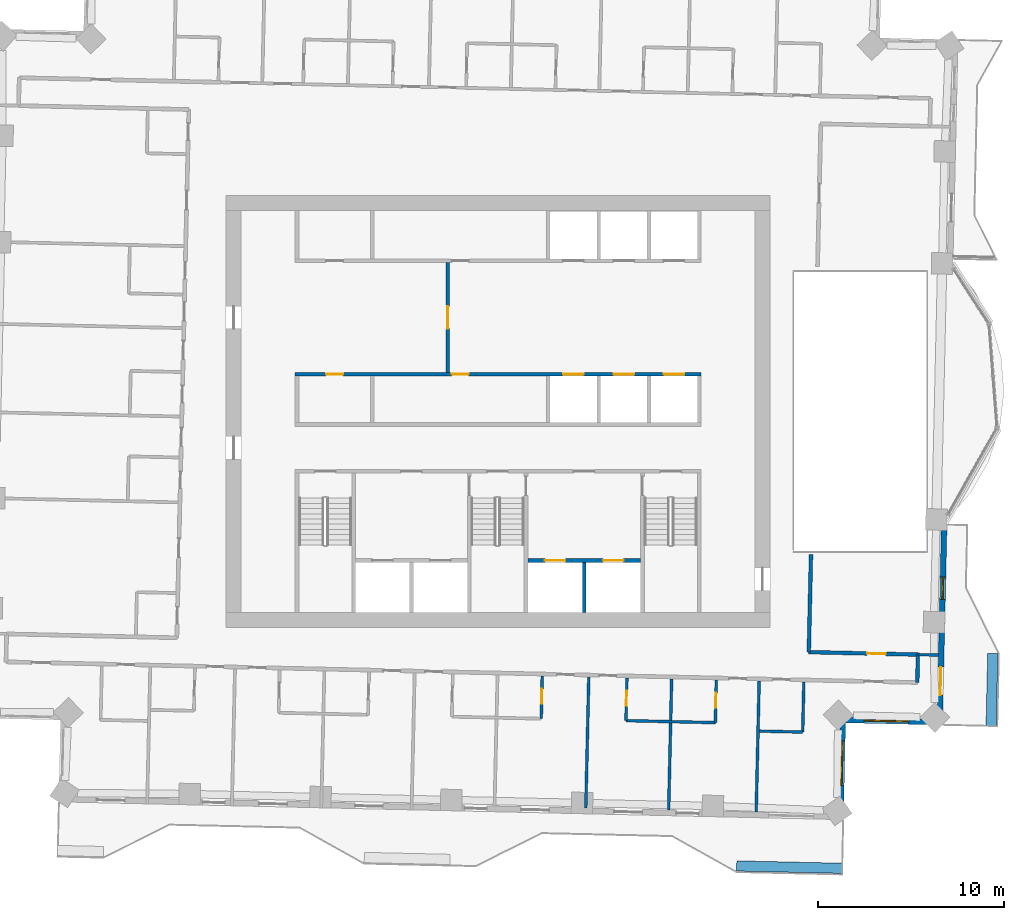
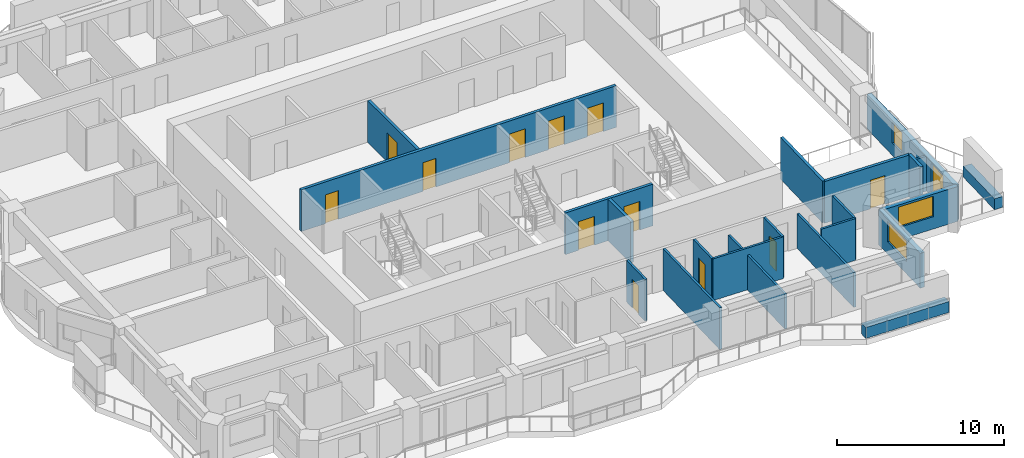
# One storey, part 9 of 16: 22 walls, 13 doors, 3 windows, 16 openings.
"""IFC4 building model written with IfcOpenShell, lengths in metres."""

from ifc_helpers import new_model, si_unit, direction, frame, frame_2d, origin, place, context, subcontext, project, spatial, rectangle, extrude, material, layer, layer_set, type_object, element, fill, save


model = new_model("IFC4")

# Units and contexts
model_context = context("Model", 3, precision=1e-05, world=origin(), true_north=direction((0.0, 1.0)))
body_context = subcontext(model_context, "Body", "Model", "MODEL_VIEW")
ifc_project = project(units=[si_unit("LENGTHUNIT", "METRE"), si_unit("AREAUNIT", "SQUARE_METRE"), si_unit("VOLUMEUNIT", "CUBIC_METRE"), si_unit("PLANEANGLEUNIT", "RADIAN"), si_unit("MASSUNIT", "GRAM", prefix="KILO")], contexts=[model_context])

# Site, building, storey
site_placement = place(None, origin())
site = spatial("IfcSite", under=ifc_project, at=site_placement, CompositionType="ELEMENT")
building_placement = place(site_placement, origin())
building = spatial("IfcBuilding", under=site, at=building_placement, Name="Mangrove Gate Tower", CompositionType="ELEMENT")
storey_placement = place(building_placement, frame((0.0, 0.0, 201.5)))
storey = spatial("IfcBuildingStorey", under=building, at=storey_placement, Name="L51", CompositionType="ELEMENT", Elevation=201.5)

# Wall, opening, door
ifc_material_1 = material(Name="Concrete C32/40", Category="concrete")
ifc_layer_1 = layer(ifc_material_1, 0.199951171875)
ifc_layer_set_1 = layer_set([ifc_layer_1], Name="Core lobby wall 200 C32/40")
wall_type_1 = type_object("IfcWallType", Name="Core lobby wall 200 C32/40", PredefinedType="STANDARD", material=ifc_layer_set_1)
wall_1_placement = place(storey_placement, frame((-2.699951171875, 2.10009765625, 0.0), z_axis=(0.0, 0.0, 1.0), x_axis=(0.0, 1.0, 0.0)))
wall_1 = element("IfcWall", 1, at=wall_1_placement, inside=storey, type_object=wall_type_1, Name="WALL-L51-CORE-31", PredefinedType="STANDARD", context=body_context, shape_type="SweptSolid", body=[
    extrude(rectangle(XDim=5.89990234375, YDim=0.199951171875, at=frame_2d((2.949951171875, 0.0))), origin(), (0.0, 0.0, 1.0), 3.050048828125),
])
opening_1_placement = place(wall_1_placement, frame((2.35009765625, 0.0, 0.0)))
opening_1 = element("IfcOpeningElement", 2, at=opening_1_placement, cuts=wall_1, Name="Opening FL12", PredefinedType="OPENING", context=body_context, shape_type="SweptSolid", body=[
    extrude(rectangle(XDim=1.199951171875, YDim=2.10009765625, at=frame_2d((0.60009765625, 1.050048828125))), frame((0.0, 0.10986328125, 0.0), z_axis=(0.0, -1.0, 0.0), x_axis=(1.0, 0.0, 0.0)), (0.0, 0.0, 1.0), 0.219970703125),
])
ifc_material_2 = material(Name="Fire-rated steel door set", Category="steel")
door_type_1 = type_object("IfcDoorType", Name="Lobby door FD60 1200x2100", OperationType="SINGLE_SWING_LEFT", PredefinedType="DOOR", material=ifc_material_2)
door_1_placement = place(opening_1_placement, origin())
door_1 = element("IfcDoor", 3, at=door_1_placement, inside=storey, type_object=door_type_1, Name="Lobby door lift lobby partition", OperationType="SINGLE_SWING_LEFT", OverallHeight=2.10009765625, OverallWidth=1.199951171875, PredefinedType="DOOR", context=body_context, shape_type="SweptSolid", body=[
    extrude(rectangle(XDim=1.199951171875, YDim=2.10009765625, at=frame_2d((0.60009765625, 1.050048828125))), frame((0.0, 0.02490234375, 0.0), z_axis=(0.0, -1.0, 0.0), x_axis=(1.0, 0.0, 0.0)), (0.0, 0.0, 1.0), 0.050048828125),
])
fill(opening_1, door_1)

# Wall, openings, doors
ifc_material_3 = material(Name="Concrete C60/75", Category="concrete")
ifc_layer_2 = layer(ifc_material_3, 0.199951171875)
ifc_layer_set_2 = layer_set([ifc_layer_2], Name="Core shaft wall 200 C60/75")
wall_type_2 = type_object("IfcWallType", Name="Core shaft wall 200 C60/75", PredefinedType="SHEAR", material=ifc_layer_set_2)
wall_2_placement = place(storey_placement, frame((-10.89990234375, 2.0, 0.0), z_axis=(0.0, 0.0, 1.0), x_axis=(1.0, 0.0, 0.0)))
wall_2 = element("IfcWall", 4, at=wall_2_placement, inside=storey, type_object=wall_type_2, Name="WALL-L51-CORE-7", PredefinedType="SHEAR", context=body_context, shape_type="SweptSolid", body=[
    extrude(rectangle(XDim=21.7998046875, YDim=0.199951171875, at=frame_2d((10.89990234375, 0.0))), origin(), (0.0, 0.0, 1.0), 3.050048828125),
])
opening_2_placement = place(wall_2_placement, frame((14.39990234375, 0.0, 0.0)))
opening_2 = element("IfcOpeningElement", 5, at=opening_2_placement, cuts=wall_2, Name="Opening LD", PredefinedType="OPENING", context=body_context, shape_type="SweptSolid", body=[
    extrude(rectangle(XDim=1.10009765625, YDim=2.10009765625, at=frame_2d((0.550048828125, 1.050048828125))), frame((0.0, 0.10986328125, 0.0), z_axis=(0.0, -1.0, 0.0), x_axis=(1.0, 0.0, 0.0)), (0.0, 0.0, 1.0), 0.219970703125),
])
opening_3_placement = place(wall_2_placement, frame((17.10009765625, 0.0, 0.0)))
opening_3 = element("IfcOpeningElement", 6, at=opening_3_placement, cuts=wall_2, Name="Opening LD", PredefinedType="OPENING", context=body_context, shape_type="SweptSolid", body=[
    extrude(rectangle(XDim=1.10009765625, YDim=2.10009765625, at=frame_2d((0.550048828125, 1.050048828125))), frame((0.0, 0.10986328125, 0.0), z_axis=(0.0, -1.0, 0.0), x_axis=(1.0, 0.0, 0.0)), (0.0, 0.0, 1.0), 0.219970703125),
])
opening_4_placement = place(wall_2_placement, frame((19.800048828125, 0.0, 0.0)))
opening_4 = element("IfcOpeningElement", 7, at=opening_4_placement, cuts=wall_2, Name="Opening LD", PredefinedType="OPENING", context=body_context, shape_type="SweptSolid", body=[
    extrude(rectangle(XDim=1.10009765625, YDim=2.10009765625, at=frame_2d((0.550048828125, 1.050048828125))), frame((0.0, 0.10986328125, 0.0), z_axis=(0.0, -1.0, 0.0), x_axis=(1.0, 0.0, 0.0)), (0.0, 0.0, 1.0), 0.219970703125),
])
opening_5_placement = place(wall_2_placement, frame((1.675048828125, 0.0, 0.0)))
opening_5 = element("IfcOpeningElement", 8, at=opening_5_placement, cuts=wall_2, Name="Opening KD", PredefinedType="OPENING", context=body_context, shape_type="SweptSolid", body=[
    extrude(rectangle(XDim=0.89990234375, YDim=2.10009765625, at=frame_2d((0.449951171875, 1.050048828125))), frame((0.0, 0.10986328125, 0.0), z_axis=(0.0, -1.0, 0.0), x_axis=(1.0, 0.0, 0.0)), (0.0, 0.0, 1.0), 0.219970703125),
])
opening_6_placement = place(wall_2_placement, frame((8.425048828125, 0.0, 0.0)))
opening_6 = element("IfcOpeningElement", 9, at=opening_6_placement, cuts=wall_2, Name="Opening RD", PredefinedType="OPENING", context=body_context, shape_type="SweptSolid", body=[
    extrude(rectangle(XDim=0.89990234375, YDim=2.10009765625, at=frame_2d((0.449951171875, 1.050048828125))), frame((0.0, 0.10986328125, 0.0), z_axis=(0.0, -1.0, 0.0), x_axis=(1.0, 0.0, 0.0)), (0.0, 0.0, 1.0), 0.219970703125),
])
ifc_material_4 = material(Name="Fire-rated steel door set", Category="steel")
door_type_2 = type_object("IfcDoorType", Name="Core room door FD30S 900x2100", OperationType="SINGLE_SWING_RIGHT", PredefinedType="DOOR", material=ifc_material_4)
door_2_placement = place(opening_5_placement, origin())
door_2 = element("IfcDoor", 10, at=door_2_placement, inside=storey, type_object=door_type_2, Name="Core room door Refuse store", OperationType="SINGLE_SWING_RIGHT", OverallHeight=2.10009765625, OverallWidth=0.89990234375, PredefinedType="DOOR", context=body_context, shape_type="SweptSolid", body=[
    extrude(rectangle(XDim=0.89990234375, YDim=2.10009765625, at=frame_2d((0.449951171875, 1.050048828125))), frame((0.0, 0.02490234375, 0.0), z_axis=(0.0, -1.0, 0.0), x_axis=(1.0, 0.0, 0.0)), (0.0, 0.0, 1.0), 0.050048828125),
])
fill(opening_5, door_2)
ifc_material_5 = material(Name="Stainless steel 316", Category="steel")
door_type_3 = type_object("IfcDoorType", Name="Lift landing door 1100x2100", OperationType="SLIDING_TO_LEFT", PredefinedType="DOOR", material=ifc_material_5)
door_3_placement = place(opening_2_placement, origin())
door_3 = element("IfcDoor", 11, at=door_3_placement, inside=storey, type_object=door_type_3, Name="Landing door LD M01", OperationType="SLIDING_TO_LEFT", OverallHeight=2.10009765625, OverallWidth=1.10009765625, PredefinedType="DOOR", context=body_context, shape_type="SweptSolid", body=[
    extrude(rectangle(XDim=1.10009765625, YDim=2.10009765625, at=frame_2d((0.550048828125, 1.050048828125))), frame((0.0, 0.02490234375, 0.0), z_axis=(0.0, -1.0, 0.0), x_axis=(1.0, 0.0, 0.0)), (0.0, 0.0, 1.0), 0.050048828125),
])
fill(opening_2, door_3)
door_4_placement = place(opening_3_placement, origin())
door_4 = element("IfcDoor", 12, at=door_4_placement, inside=storey, type_object=door_type_3, Name="Landing door LD M02", OperationType="SLIDING_TO_LEFT", OverallHeight=2.10009765625, OverallWidth=1.10009765625, PredefinedType="DOOR", context=body_context, shape_type="SweptSolid", body=[
    extrude(rectangle(XDim=1.10009765625, YDim=2.10009765625, at=frame_2d((0.550048828125, 1.050048828125))), frame((0.0, 0.02490234375, 0.0), z_axis=(0.0, -1.0, 0.0), x_axis=(1.0, 0.0, 0.0)), (0.0, 0.0, 1.0), 0.050048828125),
])
fill(opening_3, door_4)
door_5_placement = place(opening_4_placement, origin())
door_5 = element("IfcDoor", 13, at=door_5_placement, inside=storey, type_object=door_type_3, Name="Landing door LD M03", OperationType="SLIDING_TO_LEFT", OverallHeight=2.10009765625, OverallWidth=1.10009765625, PredefinedType="DOOR", context=body_context, shape_type="SweptSolid", body=[
    extrude(rectangle(XDim=1.10009765625, YDim=2.10009765625, at=frame_2d((0.550048828125, 1.050048828125))), frame((0.0, 0.02490234375, 0.0), z_axis=(0.0, -1.0, 0.0), x_axis=(1.0, 0.0, 0.0)), (0.0, 0.0, 1.0), 0.050048828125),
])
fill(opening_4, door_5)
ifc_material_6 = material(Name="Fire-rated steel door set", Category="steel")
door_type_4 = type_object("IfcDoorType", Name="Riser door FD30S 900x2100", OperationType="SINGLE_SWING_LEFT", PredefinedType="DOOR", material=ifc_material_6)
door_6_placement = place(opening_6_placement, origin())
door_6 = element("IfcDoor", 14, at=door_6_placement, inside=storey, type_object=door_type_4, Name="Riser door Electrical room", OperationType="SINGLE_SWING_LEFT", OverallHeight=2.10009765625, OverallWidth=0.89990234375, PredefinedType="DOOR", context=body_context, shape_type="SweptSolid", body=[
    extrude(rectangle(XDim=0.89990234375, YDim=2.10009765625, at=frame_2d((0.449951171875, 1.050048828125))), frame((0.0, 0.02490234375, 0.0), z_axis=(0.0, -1.0, 0.0), x_axis=(1.0, 0.0, 0.0)), (0.0, 0.0, 1.0), 0.050048828125),
])
fill(opening_6, door_6)

wall_3_placement = place(storey_placement, frame((1.60009765625, -8.0, 0.0), z_axis=(0.0, 0.0, 1.0), x_axis=(1.0, 0.0, 0.0)))
wall_3 = element("IfcWall", 15, at=wall_3_placement, inside=storey, type_object=wall_type_2, Name="WALL-L51-CORE-17", PredefinedType="SHEAR", context=body_context, shape_type="SweptSolid", body=[
    extrude(rectangle(XDim=6.0498046875, YDim=0.199951171875, at=frame_2d((3.02490234375, 0.0))), origin(), (0.0, 0.0, 1.0), 3.050048828125),
])
opening_7_placement = place(wall_3_placement, frame((0.91259765625, 0.0, 0.0)))
opening_7 = element("IfcOpeningElement", 16, at=opening_7_placement, cuts=wall_3, Name="Opening LD", PredefinedType="OPENING", context=body_context, shape_type="SweptSolid", body=[
    extrude(rectangle(XDim=1.10009765625, YDim=2.10009765625, at=frame_2d((0.550048828125, 1.050048828125))), frame((0.0, 0.10986328125, 0.0), z_axis=(0.0, -1.0, 0.0), x_axis=(1.0, 0.0, 0.0)), (0.0, 0.0, 1.0), 0.219970703125),
])
opening_8_placement = place(wall_3_placement, frame((4.03759765625, 0.0, 0.0)))
opening_8 = element("IfcOpeningElement", 17, at=opening_8_placement, cuts=wall_3, Name="Opening LD", PredefinedType="OPENING", context=body_context, shape_type="SweptSolid", body=[
    extrude(rectangle(XDim=1.10009765625, YDim=2.10009765625, at=frame_2d((0.550048828125, 1.050048828125))), frame((0.0, 0.10986328125, 0.0), z_axis=(0.0, -1.0, 0.0), x_axis=(1.0, 0.0, 0.0)), (0.0, 0.0, 1.0), 0.219970703125),
])
door_7_placement = place(opening_7_placement, origin())
door_7 = element("IfcDoor", 18, at=door_7_placement, inside=storey, type_object=door_type_3, Name="Landing door LD FFL1", OperationType="SLIDING_TO_LEFT", OverallHeight=2.10009765625, OverallWidth=1.10009765625, PredefinedType="DOOR", context=body_context, shape_type="SweptSolid", body=[
    extrude(rectangle(XDim=1.10009765625, YDim=2.10009765625, at=frame_2d((0.550048828125, 1.050048828125))), frame((0.0, 0.02490234375, 0.0), z_axis=(0.0, -1.0, 0.0), x_axis=(1.0, 0.0, 0.0)), (0.0, 0.0, 1.0), 0.050048828125),
])
fill(opening_7, door_7)
door_8_placement = place(opening_8_placement, origin())
door_8 = element("IfcDoor", 19, at=door_8_placement, inside=storey, type_object=door_type_3, Name="Landing door LD FFL2", OperationType="SLIDING_TO_LEFT", OverallHeight=2.10009765625, OverallWidth=1.10009765625, PredefinedType="DOOR", context=body_context, shape_type="SweptSolid", body=[
    extrude(rectangle(XDim=1.10009765625, YDim=2.10009765625, at=frame_2d((0.550048828125, 1.050048828125))), frame((0.0, 0.02490234375, 0.0), z_axis=(0.0, -1.0, 0.0), x_axis=(1.0, 0.0, 0.0)), (0.0, 0.0, 1.0), 0.050048828125),
])
fill(opening_8, door_8)

# Walls
wall_4_placement = place(storey_placement, frame((4.625, -10.800048828125, 0.0), z_axis=(0.0, 0.0, 1.0), x_axis=(0.0, 1.0, 0.0)))
element("IfcWall", 20, at=wall_4_placement, inside=storey, type_object=wall_type_2, Name="WALL-L51-CORE-18", PredefinedType="SHEAR", context=body_context, shape_type="SweptSolid", body=[
    extrude(rectangle(XDim=2.699951171875, YDim=0.199951171875, at=frame_2d((1.35009765625, 0.0))), origin(), (0.0, 0.0, 1.0), 3.050048828125),
])
ifc_material_7 = material(Name="Gypsum board on steel stud, EI 60", Category="steel")
ifc_layer_3 = layer(ifc_material_7, 0.199951171875)
ifc_layer_set_3 = layer_set([ifc_layer_3], Name="Corridor wall EI 60")
wall_type_3 = type_object("IfcWallType", Name="Corridor wall EI 60", PredefinedType="PARTITIONING", material=ifc_layer_set_3)
wall_5_placement = place(storey_placement, frame((22.509033203125, -14.551025390625, 0.0), z_axis=(0.0, 0.0, 1.0), x_axis=(0.022632637625, 0.99974384905, 0.0)))
element("IfcWall", 21, at=wall_5_placement, inside=storey, type_object=wall_type_3, Name="WALL-L51-026", PredefinedType="PARTITIONING", context=body_context, shape_type="SweptSolid", body=[
    extrude(rectangle(XDim=1.49951171875, YDim=0.199951171875, at=frame_2d((0.749755859375, 0.0))), origin(), (0.0, 0.0, 1.0), 3.050048828125),
])

# Wall, opening, door
wall_6_placement = place(storey_placement, frame((16.678955078125, -12.91796875, 0.0), z_axis=(0.0, 0.0, 1.0), x_axis=(0.999739057042, -0.022843332181, 0.0)))
wall_6 = element("IfcWall", 22, at=wall_6_placement, inside=storey, type_object=wall_type_3, Name="WALL-L51-031", PredefinedType="PARTITIONING", context=body_context, shape_type="SweptSolid", body=[
    extrude(rectangle(XDim=5.867431640625, YDim=0.199951171875, at=frame_2d((2.93359375, 0.0))), origin(), (0.0, 0.0, 1.0), 3.050048828125),
])
opening_9_placement = place(wall_6_placement, frame((3.134033203125, 0.0, 0.0)))
opening_9 = element("IfcOpeningElement", 23, at=opening_9_placement, cuts=wall_6, Name="Opening AD", PredefinedType="OPENING", context=body_context, shape_type="SweptSolid", body=[
    extrude(rectangle(XDim=1.0, YDim=2.10009765625, at=frame_2d((0.5, 1.050048828125))), frame((0.0, 0.10986328125, 0.0), z_axis=(0.0, -1.0, 0.0), x_axis=(1.0, 0.0, 0.0)), (0.0, 0.0, 1.0), 0.219970703125),
])
ifc_material_8 = material(Name="Timber door leaf", Category="wood")
door_type_5 = type_object("IfcDoorType", Name="Amenity door 1000", OperationType="SINGLE_SWING_LEFT", PredefinedType="DOOR", material=ifc_material_8)
door_9_placement = place(opening_9_placement, origin())
door_9 = element("IfcDoor", 24, at=door_9_placement, inside=storey, type_object=door_type_5, Name="DOOR-L51-LNG-c3a", OperationType="SINGLE_SWING_LEFT", OverallHeight=2.10009765625, OverallWidth=1.0, PredefinedType="DOOR", context=body_context, shape_type="SweptSolid", body=[
    extrude(rectangle(XDim=1.0, YDim=2.10009765625, at=frame_2d((0.5, 1.050048828125))), frame((0.0, 0.02490234375, 0.0), z_axis=(0.0, -1.0, 0.0), x_axis=(1.0, 0.0, 0.0)), (0.0, 0.0, 1.0), 0.050048828125),
])
fill(opening_9, door_9)

# Wall
wall_7_placement = place(storey_placement, frame((16.68408203125, -12.9189453125, 0.0), z_axis=(0.0, 0.0, 1.0), x_axis=(0.022667483124, 0.999743059595, 0.0)))
element("IfcWall", 25, at=wall_7_placement, inside=storey, type_object=wall_type_3, Name="WALL-L51-032", PredefinedType="PARTITIONING", context=body_context, shape_type="SweptSolid", body=[
    extrude(rectangle(XDim=5.245361328125, YDim=0.199951171875, at=frame_2d((2.62255859375, 0.0))), origin(), (0.0, 0.0, 1.0), 3.050048828125),
])

# Wall, openings, door, window
ifc_material_9 = material(Name="Limestone", Category="masonry")
ifc_layer_4 = layer(ifc_material_9, 0.0400390625, Name="Limestone cladding")
ifc_material_10 = material(Name="Ventilated air gap")
ifc_layer_5 = layer(ifc_material_10, 0.0400390625, Name="Ventilated cavity")
ifc_material_11 = material(Name="Mineral wool insulation")
ifc_layer_6 = layer(ifc_material_11, 0.06005859375, Name="Insulation")
ifc_material_12 = material(Name="Breather membrane")
ifc_layer_7 = layer(ifc_material_12, 0.001953125, Name="Breather membrane")
ifc_material_13 = material(Name="Concrete C20/25 blockwork", Category="masonry")
ifc_layer_8 = layer(ifc_material_13, 0.14990234375, Name="Blockwork backing wall")
ifc_material_14 = material(Name="Gypsum plaster")
ifc_layer_9 = layer(ifc_material_14, 0.008056640625, Name="Internal plaster")
ifc_layer_set_4 = layer_set([ifc_layer_4, ifc_layer_5, ifc_layer_6, ifc_layer_7, ifc_layer_8, ifc_layer_9], Name="External wall 300 limestone cladding")
wall_type_4 = type_object("IfcWallType", Name="External wall 300 limestone cladding", PredefinedType="SOLIDWALL", material=ifc_layer_set_4)
wall_8_placement = place(storey_placement, frame((23.712890625, -16.678955078125, 0.0), z_axis=(0.0, 0.0, 1.0), x_axis=(0.02269451316, 0.999742446369, 0.0)))
wall_8 = element("IfcWall", 26, at=wall_8_placement, inside=storey, type_object=wall_type_4, Name="WALL-L51-E0", PredefinedType="SOLIDWALL", context=body_context, shape_type="SweptSolid", body=[
    extrude(rectangle(XDim=10.929931640625, YDim=0.300048828125, at=frame_2d((5.46484375, 0.0))), origin(), (0.0, 0.0, 1.0), 2.550048828125),
])
opening_10_placement = place(wall_8_placement, frame((1.4541015625, 0.0, 0.0)))
opening_10 = element("IfcOpeningElement", 27, at=opening_10_placement, cuts=wall_8, Name="Opening BD1", PredefinedType="OPENING", context=body_context, shape_type="SweptSolid", body=[
    extrude(rectangle(XDim=1.5, YDim=2.39990234375, at=frame_2d((0.75, 1.199951171875))), frame((0.0, 0.159912109375, 0.0), z_axis=(0.0, -1.0, 0.0), x_axis=(1.0, 0.0, 0.0)), (0.0, 0.0, 1.0), 0.320068359375),
])
opening_11_placement = place(wall_8_placement, frame((6.589111328125, 0.0, 0.89990234375)))
opening_11 = element("IfcOpeningElement", 28, at=opening_11_placement, cuts=wall_8, Name="Opening W1", PredefinedType="OPENING", context=body_context, shape_type="SweptSolid", body=[
    extrude(rectangle(XDim=1.199951171875, YDim=1.5, at=frame_2d((0.60009765625, 0.75))), frame((0.0, 0.159912109375, 0.0), z_axis=(0.0, -1.0, 0.0), x_axis=(1.0, 0.0, 0.0)), (0.0, 0.0, 1.0), 0.320068359375),
])
ifc_material_15 = material(Name="Aluminium frame with laminated clear glass", Category="aluminium")
door_type_6 = type_object("IfcDoorType", Name="Balcony sliding door 1500x2400", OperationType="SLIDING_TO_LEFT", PredefinedType="DOOR", material=ifc_material_15)
door_10_placement = place(opening_10_placement, origin())
door_10 = element("IfcDoor", 29, at=door_10_placement, inside=storey, type_object=door_type_6, Name="DOOR-L51-E0-1", OperationType="SLIDING_TO_LEFT", OverallHeight=2.39990234375, OverallWidth=1.5, PredefinedType="DOOR", context=body_context, shape_type="SweptSolid", body=[
    extrude(rectangle(XDim=1.5, YDim=2.39990234375, at=frame_2d((0.75, 1.199951171875))), frame((0.0, 0.02490234375, 0.0), z_axis=(0.0, -1.0, 0.0), x_axis=(1.0, 0.0, 0.0)), (0.0, 0.0, 1.0), 0.050048828125),
])
fill(opening_10, door_10)
ifc_material_16 = material(Name="Aluminium frame with double-glazed low-e glass", Category="aluminium")
window_type_1 = type_object("IfcWindowType", Name="Side lite 1200x1500", PartitioningType="SINGLE_PANEL", PredefinedType="WINDOW", material=ifc_material_16)
window_1_placement = place(opening_11_placement, origin())
window_1 = element("IfcWindow", 30, at=window_1_placement, inside=storey, type_object=window_type_1, Name="WIN-L51-E0-2", OverallHeight=1.5, OverallWidth=1.199951171875, PartitioningType="SINGLE_PANEL", PredefinedType="WINDOW", context=body_context, shape_type="SweptSolid", body=[
    extrude(rectangle(XDim=1.199951171875, YDim=1.5, at=frame_2d((0.60009765625, 0.75))), frame((0.0, 0.030029296875, 0.0), z_axis=(0.0, -1.0, 0.0), x_axis=(1.0, 0.0, 0.0)), (0.0, 0.0, 1.0), 0.06005859375),
])
fill(opening_11, window_1)

# Wall, opening, window
wall_9_placement = place(storey_placement, frame((18.39599609375, -21.760009765625, 0.0), z_axis=(0.0, 0.0, 1.0), x_axis=(0.022675548694, 0.99974287669, 0.0)))
wall_9 = element("IfcWall", 31, at=wall_9_placement, inside=storey, type_object=wall_type_4, Name="WALL-L51-E14", PredefinedType="SOLIDWALL", context=body_context, shape_type="SweptSolid", body=[
    extrude(rectangle(XDim=5.2001953125, YDim=0.300048828125, at=frame_2d((2.60009765625, 0.0))), origin(), (0.0, 0.0, 1.0), 2.550048828125),
])
opening_12_placement = place(wall_9_placement, frame((1.679931640625, 0.0, 0.89990234375)))
opening_12 = element("IfcOpeningElement", 32, at=opening_12_placement, cuts=wall_9, Name="Opening W2", PredefinedType="OPENING", context=body_context, shape_type="SweptSolid", body=[
    extrude(rectangle(XDim=2.39990234375, YDim=1.5, at=frame_2d((1.199951171875, 0.75))), frame((0.0, 0.159912109375, 0.0), z_axis=(0.0, -1.0, 0.0), x_axis=(1.0, 0.0, 0.0)), (0.0, 0.0, 1.0), 0.320068359375),
])
ifc_material_17 = material(Name="Aluminium frame with double-glazed low-e glass", Category="aluminium")
window_type_2 = type_object("IfcWindowType", Name="Corner room window 2400x1500", PartitioningType="DOUBLE_PANEL_VERTICAL", PredefinedType="WINDOW", material=ifc_material_17)
window_2_placement = place(opening_12_placement, origin())
window_2 = element("IfcWindow", 33, at=window_2_placement, inside=storey, type_object=window_type_2, Name="WIN-L51-E14-1", OverallHeight=1.5, OverallWidth=2.39990234375, PartitioningType="DOUBLE_PANEL_VERTICAL", PredefinedType="WINDOW", context=body_context, shape_type="SweptSolid", body=[
    extrude(rectangle(XDim=2.39990234375, YDim=1.5, at=frame_2d((1.199951171875, 0.75))), frame((0.0, 0.030029296875, 0.0), z_axis=(0.0, -1.0, 0.0), x_axis=(1.0, 0.0, 0.0)), (0.0, 0.0, 1.0), 0.06005859375),
])
fill(opening_12, window_2)

wall_10_placement = place(storey_placement, frame((18.513916015625, -16.56103515625, 0.0), z_axis=(0.0, 0.0, 1.0), x_axis=(0.99974287669, -0.022675548694, 0.0)))
wall_10 = element("IfcWall", 34, at=wall_10_placement, inside=storey, type_object=wall_type_4, Name="WALL-L51-S15", PredefinedType="SOLIDWALL", context=body_context, shape_type="SweptSolid", body=[
    extrude(rectangle(XDim=5.2001953125, YDim=0.300048828125, at=frame_2d((2.60009765625, 0.0))), origin(), (0.0, 0.0, 1.0), 2.550048828125),
])
opening_13_placement = place(wall_10_placement, frame((1.137939453125, 0.0, 0.89990234375)))
opening_13 = element("IfcOpeningElement", 35, at=opening_13_placement, cuts=wall_10, Name="Opening W2", PredefinedType="OPENING", context=body_context, shape_type="SweptSolid", body=[
    extrude(rectangle(XDim=2.39990234375, YDim=1.5, at=frame_2d((1.199951171875, 0.75))), frame((0.0, 0.159912109375, 0.0), z_axis=(0.0, -1.0, 0.0), x_axis=(1.0, 0.0, 0.0)), (0.0, 0.0, 1.0), 0.320068359375),
])
window_3_placement = place(opening_13_placement, origin())
window_3 = element("IfcWindow", 36, at=window_3_placement, inside=storey, type_object=window_type_2, Name="WIN-L51-S15-1", OverallHeight=1.5, OverallWidth=2.39990234375, PartitioningType="DOUBLE_PANEL_VERTICAL", PredefinedType="WINDOW", context=body_context, shape_type="SweptSolid", body=[
    extrude(rectangle(XDim=2.39990234375, YDim=1.5, at=frame_2d((1.199951171875, 0.75))), frame((0.0, 0.030029296875, 0.0), z_axis=(0.0, -1.0, 0.0), x_axis=(1.0, 0.0, 0.0)), (0.0, 0.0, 1.0), 0.06005859375),
])
fill(opening_13, window_3)

# Walls
ifc_material_18 = material(Name="Gypsum board on steel stud, EI 60", Category="steel")
ifc_layer_10 = layer(ifc_material_18, 0.14990234375)
ifc_layer_set_5 = layer_set([ifc_layer_10], Name="Party wall 150 EI 60")
wall_type_5 = type_object("IfcWallType", Name="Party wall 150 EI 60", PredefinedType="PARTITIONING", material=ifc_layer_set_5)
wall_11_placement = place(storey_placement, frame((4.7109375, -21.299072265625, 0.0), z_axis=(0.0, 0.0, 1.0), x_axis=(0.022717472124, 0.999741924929, 0.0)))
element("IfcWall", 37, at=wall_11_placement, inside=storey, type_object=wall_type_5, Name="WALL-L51-006", PredefinedType="PARTITIONING", context=body_context, shape_type="SweptSolid", body=[
    extrude(rectangle(XDim=7.0498046875, YDim=0.14990234375, at=frame_2d((3.52490234375, 0.0))), origin(), (0.0, 0.0, 1.0), 3.050048828125),
])
wall_12_placement = place(storey_placement, frame((9.159912109375, -21.39990234375, 0.0), z_axis=(0.0, 0.0, 1.0), x_axis=(0.022718258661, 0.999741907056, 0.0)))
element("IfcWall", 38, at=wall_12_placement, inside=storey, type_object=wall_type_5, Name="WALL-L51-007", PredefinedType="PARTITIONING", context=body_context, shape_type="SweptSolid", body=[
    extrude(rectangle(XDim=7.049560546875, YDim=0.14990234375, at=frame_2d((3.52490234375, 0.0))), origin(), (0.0, 0.0, 1.0), 2.550048828125),
])
wall_13_placement = place(storey_placement, frame((13.85888671875, -21.507080078125, 0.0), z_axis=(0.0, 0.0, 1.0), x_axis=(0.022714326521, 0.999741996402, 0.0)))
element("IfcWall", 39, at=wall_13_placement, inside=storey, type_object=wall_type_5, Name="WALL-L51-008", PredefinedType="PARTITIONING", context=body_context, shape_type="SweptSolid", body=[
    extrude(rectangle(XDim=7.05078125, YDim=0.14990234375, at=frame_2d((3.525390625, 0.0))), origin(), (0.0, 0.0, 1.0), 2.550048828125),
])
wall_14_placement = place(storey_placement, frame((14.030029296875, -17.158935546875, 0.0), z_axis=(0.0, 0.0, 1.0), x_axis=(0.999740478815, -0.022781023197, 0.0)))
element("IfcWall", 40, at=wall_14_placement, inside=storey, type_object=wall_type_5, Name="WALL-L51-011", PredefinedType="PARTITIONING", context=body_context, shape_type="SweptSolid", body=[
    extrude(rectangle(XDim=2.325439453125, YDim=0.14990234375, at=frame_2d((1.16259765625, 0.0))), origin(), (0.0, 0.0, 1.0), 3.050048828125),
])
wall_15_placement = place(storey_placement, frame((16.35693359375, -17.2119140625, 0.0), z_axis=(0.0, 0.0, 1.0), x_axis=(0.02260842146, 0.999744396973, 0.0)))
element("IfcWall", 41, at=wall_15_placement, inside=storey, type_object=wall_type_5, Name="WALL-L51-012", PredefinedType="PARTITIONING", context=body_context, shape_type="SweptSolid", body=[
    extrude(rectangle(XDim=2.69970703125, YDim=0.14990234375, at=frame_2d((1.349853515625, 0.0))), origin(), (0.0, 0.0, 1.0), 3.050048828125),
])

# Wall, opening, door
wall_16_placement = place(storey_placement, frame((2.319091796875, -16.493896484375, 0.0), z_axis=(0.0, 0.0, 1.0), x_axis=(0.023029983665, 0.999734774754, 0.0)))
wall_16 = element("IfcWall", 42, at=wall_16_placement, inside=storey, type_object=wall_type_5, Name="WALL-L51-020", PredefinedType="PARTITIONING", context=body_context, shape_type="SweptSolid", body=[
    extrude(rectangle(XDim=2.30029296875, YDim=0.14990234375, at=frame_2d((1.150146484375, 0.0))), origin(), (0.0, 0.0, 1.0), 3.050048828125),
])
opening_14_placement = place(wall_16_placement, frame((0.800048828125, 0.0, 0.0)))
opening_14 = element("IfcOpeningElement", 43, at=opening_14_placement, cuts=wall_16, Name="Opening ED", PredefinedType="OPENING", context=body_context, shape_type="SweptSolid", body=[
    extrude(rectangle(XDim=0.800048828125, YDim=2.10009765625, at=frame_2d((0.39990234375, 1.050048828125))), frame((0.0, 0.0849609375, 0.0), z_axis=(0.0, -1.0, 0.0), x_axis=(1.0, 0.0, 0.0)), (0.0, 0.0, 1.0), 0.169921875),
])
ifc_material_19 = material(Name="Timber door leaf", Category="wood")
door_type_7 = type_object("IfcDoorType", Name="En-suite door 800", OperationType="SINGLE_SWING_LEFT", PredefinedType="DOOR", material=ifc_material_19)
door_11_placement = place(opening_14_placement, origin())
door_11 = element("IfcDoor", 44, at=door_11_placement, inside=storey, type_object=door_type_7, Name="DOOR-L51-ENS-c205", OperationType="SINGLE_SWING_LEFT", OverallHeight=2.10009765625, OverallWidth=0.800048828125, PredefinedType="DOOR", context=body_context, shape_type="SweptSolid", body=[
    extrude(rectangle(XDim=0.800048828125, YDim=2.10009765625, at=frame_2d((0.39990234375, 1.050048828125))), frame((0.0, 0.02490234375, 0.0), z_axis=(0.0, -1.0, 0.0), x_axis=(1.0, 0.0, 0.0)), (0.0, 0.0, 1.0), 0.050048828125),
])
fill(opening_14, door_11)

# Wall
wall_17_placement = place(storey_placement, frame((6.865966796875, -16.596923828125, 0.0), z_axis=(0.0, 0.0, 1.0), x_axis=(0.99974154664, -0.022734113616, 0.0)))
element("IfcWall", 45, at=wall_17_placement, inside=storey, type_object=wall_type_5, Name="WALL-L51-021", PredefinedType="PARTITIONING", context=body_context, shape_type="SweptSolid", body=[
    extrude(rectangle(XDim=4.80029296875, YDim=0.14990234375, at=frame_2d((2.400146484375, 0.0))), origin(), (0.0, 0.0, 1.0), 3.050048828125),
])

# Wall, opening, door
wall_18_placement = place(storey_placement, frame((6.867919921875, -16.596923828125, 0.0), z_axis=(0.0, 0.0, 1.0), x_axis=(0.022605686808, 0.999744458811, 0.0)))
wall_18 = element("IfcWall", 46, at=wall_18_placement, inside=storey, type_object=wall_type_5, Name="WALL-L51-022", PredefinedType="PARTITIONING", context=body_context, shape_type="SweptSolid", body=[
    extrude(rectangle(XDim=2.30029296875, YDim=0.14990234375, at=frame_2d((1.150146484375, 0.0))), origin(), (0.0, 0.0, 1.0), 3.050048828125),
])
opening_15_placement = place(wall_18_placement, frame((0.800048828125, 0.0, 0.0)))
opening_15 = element("IfcOpeningElement", 47, at=opening_15_placement, cuts=wall_18, Name="Opening ED", PredefinedType="OPENING", context=body_context, shape_type="SweptSolid", body=[
    extrude(rectangle(XDim=0.800048828125, YDim=2.10009765625, at=frame_2d((0.39990234375, 1.050048828125))), frame((0.0, 0.0849609375, 0.0), z_axis=(0.0, -1.0, 0.0), x_axis=(1.0, 0.0, 0.0)), (0.0, 0.0, 1.0), 0.169921875),
])
door_12_placement = place(opening_15_placement, origin())
door_12 = element("IfcDoor", 48, at=door_12_placement, inside=storey, type_object=door_type_7, Name="DOOR-L51-ENS-c206", OperationType="SINGLE_SWING_RIGHT", OverallHeight=2.10009765625, OverallWidth=0.800048828125, PredefinedType="DOOR", context=body_context, shape_type="SweptSolid", body=[
    extrude(rectangle(XDim=0.800048828125, YDim=2.10009765625, at=frame_2d((0.39990234375, 1.050048828125))), frame((0.0, 0.02490234375, 0.0), z_axis=(0.0, -1.0, 0.0), x_axis=(1.0, 0.0, 0.0)), (0.0, 0.0, 1.0), 0.050048828125),
])
fill(opening_15, door_12)

wall_19_placement = place(storey_placement, frame((11.6669921875, -16.7060546875, 0.0), z_axis=(0.0, 0.0, 1.0), x_axis=(0.022603288534, 0.999744513037, 0.0)))
wall_19 = element("IfcWall", 49, at=wall_19_placement, inside=storey, type_object=wall_type_5, Name="WALL-L51-023", PredefinedType="PARTITIONING", context=body_context, shape_type="SweptSolid", body=[
    extrude(rectangle(XDim=2.300537109375, YDim=0.14990234375, at=frame_2d((1.150390625, 0.0))), origin(), (0.0, 0.0, 1.0), 3.050048828125),
])
opening_16_placement = place(wall_19_placement, frame((0.800048828125, 0.0, 0.0)))
opening_16 = element("IfcOpeningElement", 50, at=opening_16_placement, cuts=wall_19, Name="Opening ED", PredefinedType="OPENING", context=body_context, shape_type="SweptSolid", body=[
    extrude(rectangle(XDim=0.800048828125, YDim=2.10009765625, at=frame_2d((0.39990234375, 1.050048828125))), frame((0.0, 0.0849609375, 0.0), z_axis=(0.0, -1.0, 0.0), x_axis=(1.0, 0.0, 0.0)), (0.0, 0.0, 1.0), 0.169921875),
])
door_13_placement = place(opening_16_placement, origin())
door_13 = element("IfcDoor", 51, at=door_13_placement, inside=storey, type_object=door_type_7, Name="DOOR-L51-ENS-c307", OperationType="SINGLE_SWING_LEFT", OverallHeight=2.10009765625, OverallWidth=0.800048828125, PredefinedType="DOOR", context=body_context, shape_type="SweptSolid", body=[
    extrude(rectangle(XDim=0.800048828125, YDim=2.10009765625, at=frame_2d((0.39990234375, 1.050048828125))), frame((0.0, 0.02490234375, 0.0), z_axis=(0.0, -1.0, 0.0), x_axis=(1.0, 0.0, 0.0)), (0.0, 0.0, 1.0), 0.050048828125),
])
fill(opening_16, door_13)

# Walls
wall_20_placement = place(storey_placement, frame((22.541015625, -13.051025390625, 0.0), z_axis=(0.0, 0.0, 1.0), x_axis=(0.999725373977, -0.023434517833, 0.0)))
element("IfcWall", 52, at=wall_20_placement, inside=storey, type_object=wall_type_5, Name="WALL-L51-033", PredefinedType="PARTITIONING", context=body_context, shape_type="SweptSolid", body=[
    extrude(rectangle(XDim=1.104248046875, YDim=0.14990234375, at=frame_2d((0.55224609375, 0.0))), origin(), (0.0, 0.0, 1.0), 2.550048828125),
])
ifc_material_20 = material(Name="Concrete C32/40", Category="concrete")
ifc_layer_11 = layer(ifc_material_20, 0.199951171875, Name="Planter trough wall")
ifc_material_21 = material(Name="Bituminous waterproofing membrane")
ifc_layer_12 = layer(ifc_material_21, 0.0048828125, Name="Waterproofing")
ifc_material_22 = material(Name="Drainage board and gravel")
ifc_layer_13 = layer(ifc_material_22, 0.044921875, Name="Drainage layer")
ifc_material_23 = material(Name="Planting soil")
ifc_layer_14 = layer(ifc_material_23, 0.300048828125, Name="Growing medium")
ifc_layer_set_6 = layer_set([ifc_layer_11, ifc_layer_12, ifc_layer_13, ifc_layer_14], Name="Planter wall 550 C32/40")
wall_type_6 = type_object("IfcWallType", Name="Planter wall 550 C32/40", PredefinedType="USERDEFINED", material=ifc_layer_set_6)
wall_21_placement = place(storey_placement, frame((26.47412109375, -16.89208984375, 0.0), z_axis=(0.0, 0.0, 1.0), x_axis=(0.022535131088, 0.999746051689, 0.0)))
element("IfcWall", 53, at=wall_21_placement, inside=storey, type_object=wall_type_6, Name="PLANTER L51 E0.1", ObjectType="PLANTER", PredefinedType="USERDEFINED", context=body_context, shape_type="SweptSolid", body=[
    extrude(rectangle(XDim=3.900146484375, YDim=0.550048828125, at=frame_2d((1.9501953125, 0.0))), origin(), (0.0, 0.0, 1.0), 0.800048828125),
])
wall_22_placement = place(storey_placement, frame((12.81201171875, -24.39892578125, 0.0), z_axis=(0.0, 0.0, 1.0), x_axis=(0.999744671896, -0.022596261096, 0.0)))
element("IfcWall", 54, at=wall_22_placement, inside=storey, type_object=wall_type_6, Name="PLANTER L51 S1.1", ObjectType="PLANTER", PredefinedType="USERDEFINED", context=body_context, shape_type="SweptSolid", body=[
    extrude(rectangle(XDim=5.67236328125, YDim=0.550048828125, at=frame_2d((2.836181640625, 0.0))), origin(), (0.0, 0.0, 1.0), 0.800048828125),
])

save(model, "model.ifc")
